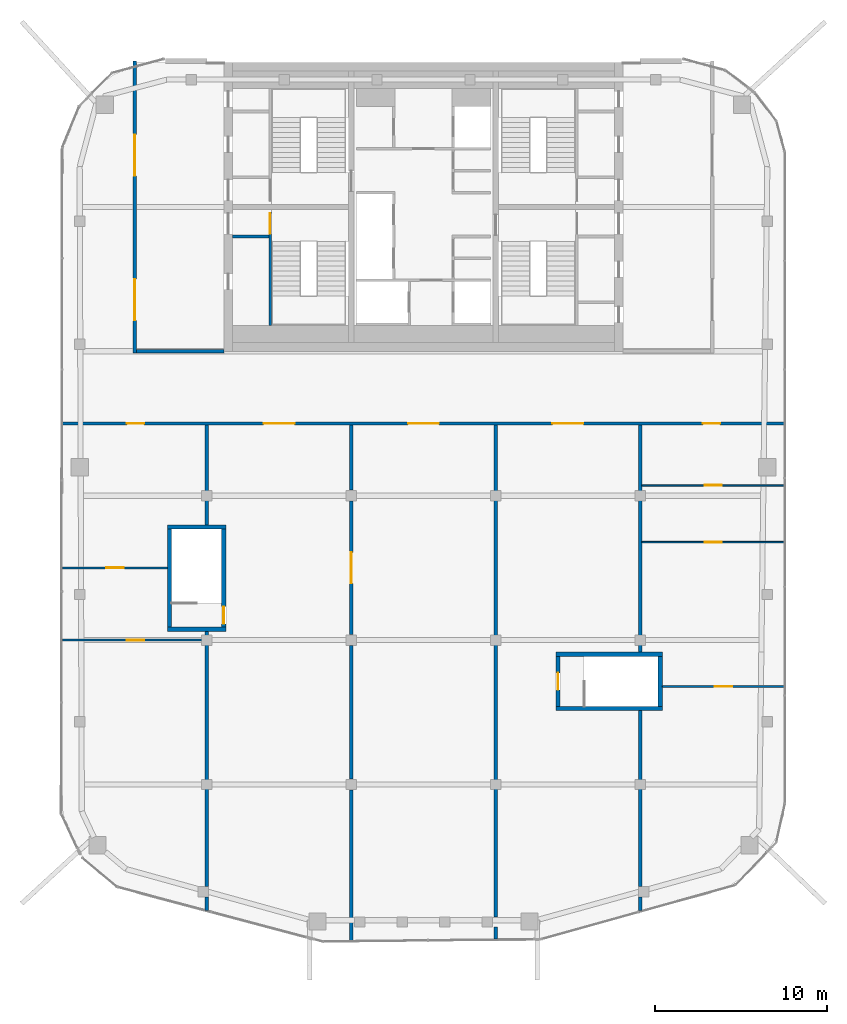
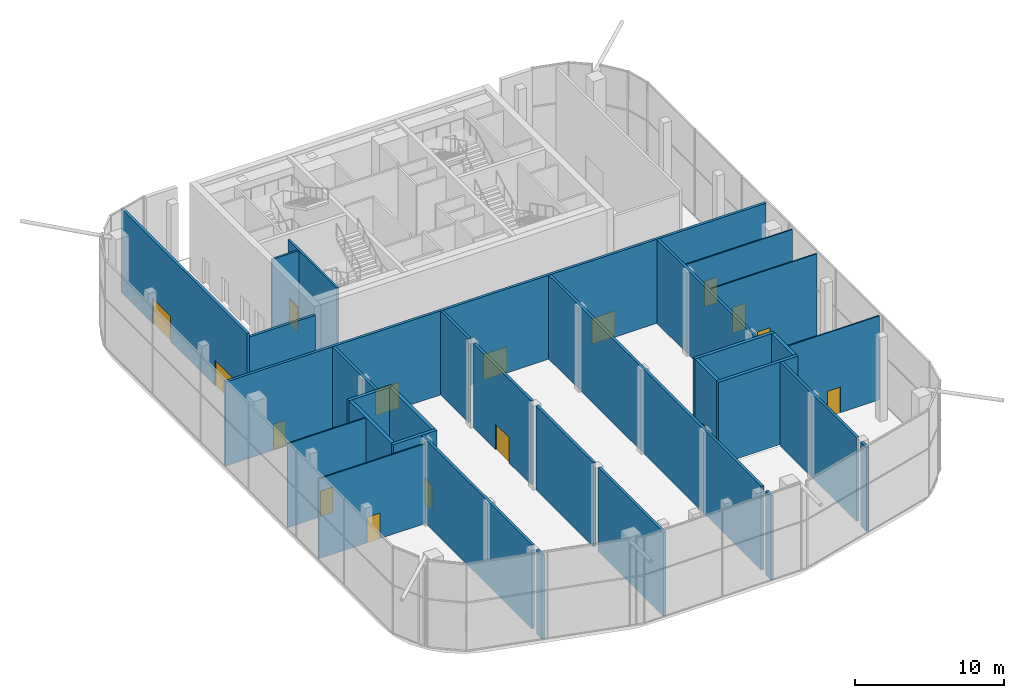
# One storey, part 18 of 23: 30 walls, 16 doors, 16 openings.
"""IFC4 building model written with IfcOpenShell, lengths in metres."""

from ifc_helpers import new_model, si_unit, direction, frame, frame_2d, origin, place, context, subcontext, project, spatial, rectangle, extrude, material, layer, layer_set, type_object, element, fill, save


model = new_model("IFC4")

# Units and contexts
model_context = context("Model", 3, precision=1e-05, world=origin(), true_north=direction((0.0, 1.0)))
body_context = subcontext(model_context, "Body", "Model", "MODEL_VIEW")
ifc_project = project(units=[si_unit("LENGTHUNIT", "METRE"), si_unit("AREAUNIT", "SQUARE_METRE"), si_unit("VOLUMEUNIT", "CUBIC_METRE"), si_unit("PLANEANGLEUNIT", "RADIAN"), si_unit("MASSUNIT", "GRAM", prefix="KILO")], contexts=[model_context])

# Site, building, storey
site_placement = place(None, origin())
site = spatial("IfcSite", under=ifc_project, at=site_placement, CompositionType="ELEMENT")
building_placement = place(site_placement, origin())
building = spatial("IfcBuilding", under=site, at=building_placement, Name="Marenta Gate Hotel Tower", CompositionType="ELEMENT")
storey_placement = place(building_placement, frame((0.0, 0.0, 288.5)))
storey = spatial("IfcBuildingStorey", under=building, at=storey_placement, Name="L66", CompositionType="ELEMENT", Elevation=288.5)

# Wall, openings, doors
ifc_material_1 = material(Name="Concrete blockwork", Category="masonry")
ifc_layer_1 = layer(ifc_material_1, 0.199951171875)
ifc_layer_set_1 = layer_set([ifc_layer_1], Name="Concrete blockwork")
wall_type_1 = type_object("IfcWallType", Name="Core boundary wall 200 REI 180", PredefinedType="PARTITIONING", material=ifc_layer_set_1)
wall_1_placement = place(storey_placement, frame((-16.800048828125, -0.10009765625, 0.0), z_axis=(0.0, 0.0, 1.0), x_axis=(0.0, 1.0, 0.0)))
wall_1 = element("IfcWall", 1, at=wall_1_placement, inside=storey, type_object=wall_type_1, Name="L66-CP-BW-W", PredefinedType="PARTITIONING", context=body_context, shape_type="SweptSolid", body=[
    extrude(rectangle(XDim=17.0, YDim=0.199951171875, at=frame_2d((8.5, 0.0))), origin(), (0.0, 0.0, 1.0), 6.89990234375),
])
opening_1_placement = place(wall_1_placement, frame((1.89990234375, 0.0, 0.0)))
opening_1 = element("IfcOpeningElement", 2, at=opening_1_placement, cuts=wall_1, Name="Opening ED-Wa-A", PredefinedType="OPENING", context=body_context, shape_type="SweptSolid", body=[
    extrude(rectangle(XDim=2.39990234375, YDim=2.10009765625, at=frame_2d((1.199951171875, 1.050048828125))), frame((0.0, 0.10009765625, 0.0), z_axis=(0.0, -1.0, 0.0), x_axis=(1.0, 0.0, 0.0)), (0.0, 0.0, 1.0), 0.199951171875),
])
opening_2_placement = place(wall_1_placement, frame((10.300048828125, 0.0, 0.0)))
opening_2 = element("IfcOpeningElement", 3, at=opening_2_placement, cuts=wall_1, Name="Opening ED-Wb-A", PredefinedType="OPENING", context=body_context, shape_type="SweptSolid", body=[
    extrude(rectangle(XDim=2.39990234375, YDim=2.10009765625, at=frame_2d((1.199951171875, 1.050048828125))), frame((0.0, 0.10009765625, 0.0), z_axis=(0.0, -1.0, 0.0), x_axis=(1.0, 0.0, 0.0)), (0.0, 0.0, 1.0), 0.199951171875),
])
ifc_material_2 = material(Name="Steel", Category="steel")
door_type_1 = type_object("IfcDoorType", Name="Core lobby entrance door 2400x2100 EI 60", OperationType="DOUBLE_DOOR_SINGLE_SWING", PredefinedType="DOOR", material=ifc_material_2)
door_1_placement = place(opening_1_placement, origin())
door_1 = element("IfcDoor", 4, at=door_1_placement, inside=storey, type_object=door_type_1, Name="ED-Wa-A", OperationType="DOUBLE_DOOR_SINGLE_SWING", OverallHeight=2.10009765625, OverallWidth=2.39990234375, PredefinedType="DOOR", context=body_context, shape_type="SweptSolid", body=[
    extrude(rectangle(XDim=2.39990234375, YDim=2.10009765625, at=frame_2d((1.199951171875, 1.050048828125))), frame((0.0, 0.02490234375, 0.0), z_axis=(0.0, -1.0, 0.0), x_axis=(1.0, 0.0, 0.0)), (0.0, 0.0, 1.0), 0.050048828125),
])
fill(opening_1, door_1)
door_2_placement = place(opening_2_placement, origin())
door_2 = element("IfcDoor", 5, at=door_2_placement, inside=storey, type_object=door_type_1, Name="ED-Wb-A", OperationType="DOUBLE_DOOR_SINGLE_SWING", OverallHeight=2.10009765625, OverallWidth=2.39990234375, PredefinedType="DOOR", context=body_context, shape_type="SweptSolid", body=[
    extrude(rectangle(XDim=2.39990234375, YDim=2.10009765625, at=frame_2d((1.199951171875, 1.050048828125))), frame((0.0, 0.02490234375, 0.0), z_axis=(0.0, -1.0, 0.0), x_axis=(1.0, 0.0, 0.0)), (0.0, 0.0, 1.0), 0.050048828125),
])
fill(opening_2, door_2)

# Walls
wall_2_placement = place(storey_placement, frame((-16.699951171875, 0.0, 0.0), z_axis=(0.0, 0.0, 1.0), x_axis=(1.0, 0.0, 0.0)))
element("IfcWall", 6, at=wall_2_placement, inside=storey, type_object=wall_type_1, Name="L66-CP-EW-WS", PredefinedType="PARTITIONING", context=body_context, shape_type="SweptSolid", body=[
    extrude(rectangle(XDim=5.099853515625, YDim=0.199951171875, at=frame_2d((2.5498046875, 0.0))), origin(), (0.0, 0.0, 1.0), 6.56005859375),
])
ifc_material_3 = material(Name="Concrete blockwork", Category="masonry")
ifc_layer_2 = layer(ifc_material_3, 0.14990234375)
ifc_layer_set_2 = layer_set([ifc_layer_2], Name="Concrete blockwork")
wall_type_2 = type_object("IfcWallType", Name="Core room partition 150 REI 180", PredefinedType="PARTITIONING", material=ifc_layer_set_2)
wall_3_placement = place(storey_placement, frame((-11.10009765625, 6.675048828125, 0.0), z_axis=(0.0, 0.0, 1.0), x_axis=(1.0, 0.0, 0.0)))
element("IfcWall", 7, at=wall_3_placement, inside=storey, type_object=wall_type_2, Name="L66-CP-SW-WS-2", PredefinedType="PARTITIONING", context=body_context, shape_type="SweptSolid", body=[
    extrude(rectangle(XDim=2.10009765625, YDim=0.14990234375, at=frame_2d((1.050048828125, 0.0))), origin(), (0.0, 0.0, 1.0), 6.89990234375),
])

# Wall, opening, door
ifc_material_4 = material(Name="Concrete C40", Category="concrete")
ifc_layer_3 = layer(ifc_material_4, 0.14990234375)
ifc_layer_set_3 = layer_set([ifc_layer_3], Name="Concrete C40")
wall_type_3 = type_object("IfcWallType", Name="Core stair enclosure wall 150 REI 180", PredefinedType="SHEAR", material=ifc_layer_set_3)
wall_4_placement = place(storey_placement, frame((-8.925048828125, 1.5, 0.0), z_axis=(0.0, 0.0, 1.0), x_axis=(0.0, 1.0, 0.0)))
wall_4 = element("IfcWall", 8, at=wall_4_placement, inside=storey, type_object=wall_type_3, Name="L66-SHF-SW-WS-3", PredefinedType="SHEAR", context=body_context, shape_type="SweptSolid", body=[
    extrude(rectangle(XDim=6.60009765625, YDim=0.14990234375, at=frame_2d((3.300048828125, 0.0))), origin(), (0.0, 0.0, 1.0), 6.89990234375),
])
opening_3_placement = place(wall_4_placement, frame((5.324951171875, 0.0, 0.0)))
opening_3 = element("IfcOpeningElement", 9, at=opening_3_placement, cuts=wall_4, Name="Opening SD-WS", PredefinedType="OPENING", context=body_context, shape_type="SweptSolid", body=[
    extrude(rectangle(XDim=1.199951171875, YDim=2.10009765625, at=frame_2d((0.60009765625, 1.050048828125))), frame((0.0, 0.074951171875, 0.0), z_axis=(0.0, -1.0, 0.0), x_axis=(1.0, 0.0, 0.0)), (0.0, 0.0, 1.0), 0.14990234375),
])
ifc_material_5 = material(Name="Steel", Category="steel")
door_type_2 = type_object("IfcDoorType", Name="Core stair door 1200x2100 FD60", OperationType="SINGLE_SWING_LEFT", PredefinedType="DOOR", material=ifc_material_5)
door_3_placement = place(opening_3_placement, origin())
door_3 = element("IfcDoor", 10, at=door_3_placement, inside=storey, type_object=door_type_2, Name="SD-WS", OperationType="SINGLE_SWING_LEFT", OverallHeight=2.10009765625, OverallWidth=1.199951171875, PredefinedType="DOOR", context=body_context, shape_type="SweptSolid", body=[
    extrude(rectangle(XDim=1.199951171875, YDim=2.10009765625, at=frame_2d((0.60009765625, 1.050048828125))), frame((0.0, 0.02490234375, 0.0), z_axis=(0.0, -1.0, 0.0), x_axis=(1.0, 0.0, 0.0)), (0.0, 0.0, 1.0), 0.050048828125),
])
fill(opening_3, door_3)

# Walls
ifc_material_6 = material(Name="Concrete C40", Category="concrete")
ifc_layer_4 = layer(ifc_material_6, 0.25)
ifc_layer_set_4 = layer_set([ifc_layer_4], Name="Concrete C40")
wall_type_4 = type_object("IfcWallType", Name="Remote stair enclosure wall 250 REI 180", PredefinedType="SHEAR", material=ifc_layer_set_4)
for number, where, z_axis, x_axis, name in (
    (11, (7.699951171875, -20.77490234375, 0.10009765625), (0.0, 0.0, 1.0), (1.0, 0.0, 0.0), "L66-RS-Z4-1-W1"),
    (12, (7.699951171875, -17.625, 0.10009765625), (0.0, 0.0, 1.0), (1.0, 0.0, 0.0), "L66-RS-Z4-1-W2"),
):
    element("IfcWall", number, at=place(storey_placement, frame(where, z_axis=z_axis, x_axis=x_axis)), inside=storey, type_object=wall_type_4, Name=name, PredefinedType="SHEAR", context=body_context, shape_type="SweptSolid", body=[
        extrude(rectangle(XDim=6.199951171875, YDim=0.25, at=frame_2d((3.10009765625, 0.0))), origin(), (0.0, 0.0, 1.0), 6.7998046875),
    ])

# Wall, opening, door
wall_5_placement = place(storey_placement, frame((7.824951171875, -20.64990234375, 0.10009765625), z_axis=(0.0, 0.0, 1.0), x_axis=(0.0, 1.0, 0.0)))
wall_5 = element("IfcWall", 13, at=wall_5_placement, inside=storey, type_object=wall_type_4, Name="L66-RS-Z4-1-W3", PredefinedType="SHEAR", context=body_context, shape_type="SweptSolid", body=[
    extrude(rectangle(XDim=2.89990234375, YDim=0.25, at=frame_2d((1.449951171875, 0.0))), origin(), (0.0, 0.0, 1.0), 6.7998046875),
])
opening_4_placement = place(wall_5_placement, frame((0.949951171875, 0.0, 0.0)))
opening_4 = element("IfcOpeningElement", 14, at=opening_4_placement, cuts=wall_5, Name="Opening VD", PredefinedType="OPENING", context=body_context, shape_type="SweptSolid", body=[
    extrude(rectangle(XDim=1.0, YDim=2.10009765625, at=frame_2d((0.5, 1.050048828125))), frame((0.0, 0.125, 0.0), z_axis=(0.0, -1.0, 0.0), x_axis=(1.0, 0.0, 0.0)), (0.0, 0.0, 1.0), 0.25),
])
ifc_material_7 = material(Name="Steel", Category="steel")
door_type_3 = type_object("IfcDoorType", Name="Stair vestibule door 1000x2100 FD60", OperationType="SINGLE_SWING_LEFT", PredefinedType="DOOR", material=ifc_material_7)
door_4_placement = place(opening_4_placement, origin())
door_4 = element("IfcDoor", 15, at=door_4_placement, inside=storey, type_object=door_type_3, Name="VD", OperationType="SINGLE_SWING_LEFT", OverallHeight=2.10009765625, OverallWidth=1.0, PredefinedType="DOOR", context=body_context, shape_type="SweptSolid", body=[
    extrude(rectangle(XDim=1.0, YDim=2.10009765625, at=frame_2d((0.5, 1.050048828125))), frame((0.0, 0.02490234375, 0.0), z_axis=(0.0, -1.0, 0.0), x_axis=(1.0, 0.0, 0.0)), (0.0, 0.0, 1.0), 0.050048828125),
])
fill(opening_4, door_4)

# Walls
wall_6_placement = place(storey_placement, frame((13.77490234375, -20.64990234375, 0.10009765625), z_axis=(0.0, 0.0, 1.0), x_axis=(0.0, 1.0, 0.0)))
element("IfcWall", 16, at=wall_6_placement, inside=storey, type_object=wall_type_4, Name="L66-RS-Z4-1-W4", PredefinedType="SHEAR", context=body_context, shape_type="SweptSolid", body=[
    extrude(rectangle(XDim=2.89990234375, YDim=0.25, at=frame_2d((1.449951171875, 0.0))), origin(), (0.0, 0.0, 1.0), 6.7998046875),
])
for number, where, z_axis, x_axis, name in (
    (17, (-14.89990234375, -16.175048828125, 0.10009765625), (0.0, 0.0, 1.0), (1.0, 0.0, 0.0), "L66-RS-Z4-2-W1"),
    (18, (-14.89990234375, -10.22509765625, 0.10009765625), (0.0, 0.0, 1.0), (1.0, 0.0, 0.0), "L66-RS-Z4-2-W2"),
):
    element("IfcWall", number, at=place(storey_placement, frame(where, z_axis=z_axis, x_axis=x_axis)), inside=storey, type_object=wall_type_4, Name=name, PredefinedType="SHEAR", context=body_context, shape_type="SweptSolid", body=[
        extrude(rectangle(XDim=3.39990234375, YDim=0.25, at=frame_2d((1.699951171875, 0.0))), origin(), (0.0, 0.0, 1.0), 6.7998046875),
    ])
wall_7_placement = place(storey_placement, frame((-14.77490234375, -16.050048828125, 0.10009765625), z_axis=(0.0, 0.0, 1.0), x_axis=(0.0, 1.0, 0.0)))
element("IfcWall", 19, at=wall_7_placement, inside=storey, type_object=wall_type_4, Name="L66-RS-Z4-2-W3", PredefinedType="SHEAR", context=body_context, shape_type="SweptSolid", body=[
    extrude(rectangle(XDim=5.699951171875, YDim=0.25, at=frame_2d((2.85009765625, 0.0))), origin(), (0.0, 0.0, 1.0), 6.7998046875),
])

# Wall, opening, door
wall_8_placement = place(storey_placement, frame((-11.625, -16.050048828125, 0.10009765625), z_axis=(0.0, 0.0, 1.0), x_axis=(0.0, 1.0, 0.0)))
wall_8 = element("IfcWall", 20, at=wall_8_placement, inside=storey, type_object=wall_type_4, Name="L66-RS-Z4-2-W4", PredefinedType="SHEAR", context=body_context, shape_type="SweptSolid", body=[
    extrude(rectangle(XDim=5.699951171875, YDim=0.25, at=frame_2d((2.85009765625, 0.0))), origin(), (0.0, 0.0, 1.0), 6.7998046875),
])
opening_5_placement = place(wall_8_placement, frame((0.199951171875, 0.0, 0.0)))
opening_5 = element("IfcOpeningElement", 21, at=opening_5_placement, cuts=wall_8, Name="Opening VD", PredefinedType="OPENING", context=body_context, shape_type="SweptSolid", body=[
    extrude(rectangle(XDim=1.0, YDim=2.10009765625, at=frame_2d((0.5, 1.050048828125))), frame((0.0, 0.125, 0.0), z_axis=(0.0, -1.0, 0.0), x_axis=(1.0, 0.0, 0.0)), (0.0, 0.0, 1.0), 0.25),
])
door_5_placement = place(opening_5_placement, origin())
door_5 = element("IfcDoor", 22, at=door_5_placement, inside=storey, type_object=door_type_3, Name="VD", OperationType="SINGLE_SWING_LEFT", OverallHeight=2.10009765625, OverallWidth=1.0, PredefinedType="DOOR", context=body_context, shape_type="SweptSolid", body=[
    extrude(rectangle(XDim=1.0, YDim=2.10009765625, at=frame_2d((0.5, 1.050048828125))), frame((0.0, 0.02490234375, 0.0), z_axis=(0.0, -1.0, 0.0), x_axis=(1.0, 0.0, 0.0)), (0.0, 0.0, 1.0), 0.050048828125),
])
fill(opening_5, door_5)

# Wall, openings, doors
ifc_material_8 = material(Name="Gypsum board on steel stud", Category="steel")
ifc_layer_5 = layer(ifc_material_8, 0.199951171875)
ifc_layer_set_5 = layer_set([ifc_layer_5], Name="Gypsum board on steel stud")
wall_type_5 = type_object("IfcWallType", Name="Room corridor wall 200 EI 60", PredefinedType="PARTITIONING", material=ifc_layer_set_5)
wall_9_placement = place(storey_placement, frame((-21.0, -4.199951171875, 0.0), z_axis=(0.0, 0.0, 1.0), x_axis=(1.0, 0.0, 0.0)))
wall_9 = element("IfcWall", 23, at=wall_9_placement, inside=storey, type_object=wall_type_5, Name="L66-PTN-W011", PredefinedType="PARTITIONING", context=body_context, shape_type="SweptSolid", body=[
    extrude(rectangle(XDim=42.0, YDim=0.199951171875, at=frame_2d((21.0, 0.0))), origin(), (0.0, 0.0, 1.0), 6.89990234375),
])
opening_6_placement = place(wall_9_placement, frame((3.75, 0.0, 0.0)))
opening_6 = element("IfcOpeningElement", 24, at=opening_6_placement, cuts=wall_9, Name="Opening S13-01", PredefinedType="OPENING", context=body_context, shape_type="SweptSolid", body=[
    extrude(rectangle(XDim=1.0, YDim=2.10009765625, at=frame_2d((0.5, 1.050048828125))), frame((0.0, 0.10009765625, 0.0), z_axis=(0.0, -1.0, 0.0), x_axis=(1.0, 0.0, 0.0)), (0.0, 0.0, 1.0), 0.199951171875),
])
opening_7_placement = place(wall_9_placement, frame((20.10009765625, 0.0, 0.0)))
opening_7 = element("IfcOpeningElement", 25, at=opening_7_placement, cuts=wall_9, Name="Opening S13-04", PredefinedType="OPENING", context=body_context, shape_type="SweptSolid", body=[
    extrude(rectangle(XDim=1.800048828125, YDim=2.10009765625, at=frame_2d((0.89990234375, 1.050048828125))), frame((0.0, 0.10009765625, 0.0), z_axis=(0.0, -1.0, 0.0), x_axis=(1.0, 0.0, 0.0)), (0.0, 0.0, 1.0), 0.199951171875),
])
opening_8_placement = place(wall_9_placement, frame((11.699951171875, 0.0, 0.0)))
opening_8 = element("IfcOpeningElement", 26, at=opening_8_placement, cuts=wall_9, Name="Opening S13-05", PredefinedType="OPENING", context=body_context, shape_type="SweptSolid", body=[
    extrude(rectangle(XDim=1.800048828125, YDim=2.10009765625, at=frame_2d((0.89990234375, 1.050048828125))), frame((0.0, 0.10009765625, 0.0), z_axis=(0.0, -1.0, 0.0), x_axis=(1.0, 0.0, 0.0)), (0.0, 0.0, 1.0), 0.199951171875),
])
opening_9_placement = place(wall_9_placement, frame((28.5, 0.0, 0.0)))
opening_9 = element("IfcOpeningElement", 27, at=opening_9_placement, cuts=wall_9, Name="Opening S13-06", PredefinedType="OPENING", context=body_context, shape_type="SweptSolid", body=[
    extrude(rectangle(XDim=1.800048828125, YDim=2.10009765625, at=frame_2d((0.89990234375, 1.050048828125))), frame((0.0, 0.10009765625, 0.0), z_axis=(0.0, -1.0, 0.0), x_axis=(1.0, 0.0, 0.0)), (0.0, 0.0, 1.0), 0.199951171875),
])
opening_10_placement = place(wall_9_placement, frame((37.25, 0.0, 0.0)))
opening_10 = element("IfcOpeningElement", 28, at=opening_10_placement, cuts=wall_9, Name="Opening S13-07", PredefinedType="OPENING", context=body_context, shape_type="SweptSolid", body=[
    extrude(rectangle(XDim=1.0, YDim=2.10009765625, at=frame_2d((0.5, 1.050048828125))), frame((0.0, 0.10009765625, 0.0), z_axis=(0.0, -1.0, 0.0), x_axis=(1.0, 0.0, 0.0)), (0.0, 0.0, 1.0), 0.199951171875),
])
ifc_material_9 = material(Name="Timber door leaf", Category="wood")
door_type_4 = type_object("IfcDoorType", Name="Room amenity door 1000x2100 EI 30", OperationType="NOTDEFINED", PredefinedType="DOOR", material=ifc_material_9)
door_6_placement = place(opening_6_placement, origin())
door_6 = element("IfcDoor", 29, at=door_6_placement, inside=storey, type_object=door_type_4, Name="L66-PD-D001", OperationType="SINGLE_SWING_LEFT", OverallHeight=2.10009765625, OverallWidth=1.0, PredefinedType="DOOR", context=body_context, shape_type="SweptSolid", body=[
    extrude(rectangle(XDim=1.0, YDim=2.10009765625, at=frame_2d((0.5, 1.050048828125))), frame((0.0, 0.02490234375, 0.0), z_axis=(0.0, -1.0, 0.0), x_axis=(1.0, 0.0, 0.0)), (0.0, 0.0, 1.0), 0.050048828125),
])
fill(opening_6, door_6)
ifc_material_10 = material(Name="Timber door leaf", Category="wood")
door_type_5 = type_object("IfcDoorType", Name="Room amenity door 1800x2100 EI 30", OperationType="DOUBLE_DOOR_SINGLE_SWING", PredefinedType="DOOR", material=ifc_material_10)
door_7_placement = place(opening_7_placement, origin())
door_7 = element("IfcDoor", 30, at=door_7_placement, inside=storey, type_object=door_type_5, Name="L66-PD-D004", OperationType="DOUBLE_DOOR_SINGLE_SWING", OverallHeight=2.10009765625, OverallWidth=1.800048828125, PredefinedType="DOOR", context=body_context, shape_type="SweptSolid", body=[
    extrude(rectangle(XDim=1.800048828125, YDim=2.10009765625, at=frame_2d((0.89990234375, 1.050048828125))), frame((0.0, 0.02490234375, 0.0), z_axis=(0.0, -1.0, 0.0), x_axis=(1.0, 0.0, 0.0)), (0.0, 0.0, 1.0), 0.050048828125),
])
fill(opening_7, door_7)
door_8_placement = place(opening_8_placement, origin())
door_8 = element("IfcDoor", 31, at=door_8_placement, inside=storey, type_object=door_type_5, Name="L66-PD-D005", OperationType="DOUBLE_DOOR_SINGLE_SWING", OverallHeight=2.10009765625, OverallWidth=1.800048828125, PredefinedType="DOOR", context=body_context, shape_type="SweptSolid", body=[
    extrude(rectangle(XDim=1.800048828125, YDim=2.10009765625, at=frame_2d((0.89990234375, 1.050048828125))), frame((0.0, 0.02490234375, 0.0), z_axis=(0.0, -1.0, 0.0), x_axis=(1.0, 0.0, 0.0)), (0.0, 0.0, 1.0), 0.050048828125),
])
fill(opening_8, door_8)
door_9_placement = place(opening_9_placement, origin())
door_9 = element("IfcDoor", 32, at=door_9_placement, inside=storey, type_object=door_type_5, Name="L66-PD-D006", OperationType="DOUBLE_DOOR_SINGLE_SWING", OverallHeight=2.10009765625, OverallWidth=1.800048828125, PredefinedType="DOOR", context=body_context, shape_type="SweptSolid", body=[
    extrude(rectangle(XDim=1.800048828125, YDim=2.10009765625, at=frame_2d((0.89990234375, 1.050048828125))), frame((0.0, 0.02490234375, 0.0), z_axis=(0.0, -1.0, 0.0), x_axis=(1.0, 0.0, 0.0)), (0.0, 0.0, 1.0), 0.050048828125),
])
fill(opening_9, door_9)
ifc_material_11 = material(Name="Timber door leaf", Category="wood")
door_type_6 = type_object("IfcDoorType", Name="Toilet room door 1000x2100 EI 30", OperationType="NOTDEFINED", PredefinedType="DOOR", material=ifc_material_11)
door_10_placement = place(opening_10_placement, origin())
door_10 = element("IfcDoor", 33, at=door_10_placement, inside=storey, type_object=door_type_6, Name="L66-PD-D007", OperationType="SINGLE_SWING_LEFT", OverallHeight=2.10009765625, OverallWidth=1.0, PredefinedType="DOOR", context=body_context, shape_type="SweptSolid", body=[
    extrude(rectangle(XDim=1.0, YDim=2.10009765625, at=frame_2d((0.5, 1.050048828125))), frame((0.0, 0.02490234375, 0.0), z_axis=(0.0, -1.0, 0.0), x_axis=(1.0, 0.0, 0.0)), (0.0, 0.0, 1.0), 0.050048828125),
])
fill(opening_10, door_10)

# Wall, opening, door
ifc_material_12 = material(Name="Gypsum board on steel stud", Category="steel")
ifc_layer_6 = layer(ifc_material_12, 0.10009765625)
ifc_layer_set_6 = layer_set([ifc_layer_6], Name="Gypsum board on steel stud")
wall_type_6 = type_object("IfcWallType", Name="Room partition 100", PredefinedType="PARTITIONING", material=ifc_layer_set_6)
wall_10_placement = place(storey_placement, frame((13.89990234375, -19.5, 0.0), z_axis=(0.0, 0.0, 1.0), x_axis=(1.0, 0.0, 0.0)))
wall_10 = element("IfcWall", 34, at=wall_10_placement, inside=storey, type_object=wall_type_6, Name="L66-PTN-W001", PredefinedType="PARTITIONING", context=body_context, shape_type="SweptSolid", body=[
    extrude(rectangle(XDim=7.10009765625, YDim=0.10009765625, at=frame_2d((3.550048828125, 0.0))), origin(), (0.0, 0.0, 1.0), 6.89990234375),
])
opening_11_placement = place(wall_10_placement, frame((3.050048828125, 0.0, 0.0)))
opening_11 = element("IfcOpeningElement", 35, at=opening_11_placement, cuts=wall_10, Name="Opening S13-10", PredefinedType="OPENING", context=body_context, shape_type="SweptSolid", body=[
    extrude(rectangle(XDim=1.0, YDim=2.10009765625, at=frame_2d((0.5, 1.050048828125))), frame((0.0, 0.050048828125, 0.0), z_axis=(0.0, -1.0, 0.0), x_axis=(1.0, 0.0, 0.0)), (0.0, 0.0, 1.0), 0.10009765625),
])
ifc_material_13 = material(Name="Hollow steel door set", Category="steel")
door_type_7 = type_object("IfcDoorType", Name="Room service door 1000x2100", OperationType="NOTDEFINED", PredefinedType="DOOR", material=ifc_material_13)
door_11_placement = place(opening_11_placement, origin())
door_11 = element("IfcDoor", 36, at=door_11_placement, inside=storey, type_object=door_type_7, Name="L66-PD-D010", OperationType="SINGLE_SWING_LEFT", OverallHeight=2.10009765625, OverallWidth=1.0, PredefinedType="DOOR", context=body_context, shape_type="SweptSolid", body=[
    extrude(rectangle(XDim=1.0, YDim=2.10009765625, at=frame_2d((0.5, 1.050048828125))), frame((0.0, 0.02490234375, 0.0), z_axis=(0.0, -1.0, 0.0), x_axis=(1.0, 0.0, 0.0)), (0.0, 0.0, 1.0), 0.050048828125),
])
fill(opening_11, door_11)

wall_11_placement = place(storey_placement, frame((-21.0, -16.800048828125, 0.0), z_axis=(0.0, 0.0, 1.0), x_axis=(1.0, 0.0, 0.0)))
wall_11 = element("IfcWall", 37, at=wall_11_placement, inside=storey, type_object=wall_type_6, Name="L66-PTN-W002", PredefinedType="PARTITIONING", context=body_context, shape_type="SweptSolid", body=[
    extrude(rectangle(XDim=8.5, YDim=0.10009765625, at=frame_2d((4.25, 0.0))), origin(), (0.0, 0.0, 1.0), 6.56005859375),
])
opening_12_placement = place(wall_11_placement, frame((3.75, 0.0, 0.0)))
opening_12 = element("IfcOpeningElement", 38, at=opening_12_placement, cuts=wall_11, Name="Opening S13-03", PredefinedType="OPENING", context=body_context, shape_type="SweptSolid", body=[
    extrude(rectangle(XDim=1.0, YDim=2.10009765625, at=frame_2d((0.5, 1.050048828125))), frame((0.0, 0.050048828125, 0.0), z_axis=(0.0, -1.0, 0.0), x_axis=(1.0, 0.0, 0.0)), (0.0, 0.0, 1.0), 0.10009765625),
])
ifc_material_14 = material(Name="Timber door leaf", Category="wood")
door_type_8 = type_object("IfcDoorType", Name="Room inner door 1000x2100", OperationType="NOTDEFINED", PredefinedType="DOOR", material=ifc_material_14)
door_12_placement = place(opening_12_placement, origin())
door_12 = element("IfcDoor", 39, at=door_12_placement, inside=storey, type_object=door_type_8, Name="L66-PD-D003", OperationType="SINGLE_SWING_LEFT", OverallHeight=2.10009765625, OverallWidth=1.0, PredefinedType="DOOR", context=body_context, shape_type="SweptSolid", body=[
    extrude(rectangle(XDim=1.0, YDim=2.10009765625, at=frame_2d((0.5, 1.050048828125))), frame((0.0, 0.02490234375, 0.0), z_axis=(0.0, -1.0, 0.0), x_axis=(1.0, 0.0, 0.0)), (0.0, 0.0, 1.0), 0.050048828125),
])
fill(opening_12, door_12)

wall_12_placement = place(storey_placement, frame((-21.0, -12.60009765625, 0.0), z_axis=(0.0, 0.0, 1.0), x_axis=(1.0, 0.0, 0.0)))
wall_12 = element("IfcWall", 40, at=wall_12_placement, inside=storey, type_object=wall_type_6, Name="L66-PTN-W006", PredefinedType="PARTITIONING", context=body_context, shape_type="SweptSolid", body=[
    extrude(rectangle(XDim=6.10009765625, YDim=0.10009765625, at=frame_2d((3.050048828125, 0.0))), origin(), (0.0, 0.0, 1.0), 6.89990234375),
])
opening_13_placement = place(wall_12_placement, frame((2.550048828125, 0.0, 0.0)))
opening_13 = element("IfcOpeningElement", 41, at=opening_13_placement, cuts=wall_12, Name="Opening S13-02", PredefinedType="OPENING", context=body_context, shape_type="SweptSolid", body=[
    extrude(rectangle(XDim=1.0, YDim=2.10009765625, at=frame_2d((0.5, 1.050048828125))), frame((0.0, 0.050048828125, 0.0), z_axis=(0.0, -1.0, 0.0), x_axis=(1.0, 0.0, 0.0)), (0.0, 0.0, 1.0), 0.10009765625),
])
door_13_placement = place(opening_13_placement, origin())
door_13 = element("IfcDoor", 42, at=door_13_placement, inside=storey, type_object=door_type_7, Name="L66-PD-D002", OperationType="SINGLE_SWING_RIGHT", OverallHeight=2.10009765625, OverallWidth=1.0, PredefinedType="DOOR", context=body_context, shape_type="SweptSolid", body=[
    extrude(rectangle(XDim=1.0, YDim=2.10009765625, at=frame_2d((0.5, 1.050048828125))), frame((0.0, 0.02490234375, 0.0), z_axis=(0.0, -1.0, 0.0), x_axis=(1.0, 0.0, 0.0)), (0.0, 0.0, 1.0), 0.050048828125),
])
fill(opening_13, door_13)

wall_13_placement = place(storey_placement, frame((12.699951171875, -11.10009765625, 0.0), z_axis=(0.0, 0.0, 1.0), x_axis=(1.0, 0.0, 0.0)))
wall_13 = element("IfcWall", 43, at=wall_13_placement, inside=storey, type_object=wall_type_6, Name="L66-PTN-W007", PredefinedType="PARTITIONING", context=body_context, shape_type="SweptSolid", body=[
    extrude(rectangle(XDim=8.300048828125, YDim=0.10009765625, at=frame_2d((4.14990234375, 0.0))), origin(), (0.0, 0.0, 1.0), 6.89990234375),
])
opening_14_placement = place(wall_13_placement, frame((3.64990234375, 0.0, 0.0)))
opening_14 = element("IfcOpeningElement", 44, at=opening_14_placement, cuts=wall_13, Name="Opening S13-09", PredefinedType="OPENING", context=body_context, shape_type="SweptSolid", body=[
    extrude(rectangle(XDim=1.0, YDim=2.10009765625, at=frame_2d((0.5, 1.050048828125))), frame((0.0, 0.050048828125, 0.0), z_axis=(0.0, -1.0, 0.0), x_axis=(1.0, 0.0, 0.0)), (0.0, 0.0, 1.0), 0.10009765625),
])
door_14_placement = place(opening_14_placement, origin())
door_14 = element("IfcDoor", 45, at=door_14_placement, inside=storey, type_object=door_type_8, Name="L66-PD-D009", OperationType="SINGLE_SWING_LEFT", OverallHeight=2.10009765625, OverallWidth=1.0, PredefinedType="DOOR", context=body_context, shape_type="SweptSolid", body=[
    extrude(rectangle(XDim=1.0, YDim=2.10009765625, at=frame_2d((0.5, 1.050048828125))), frame((0.0, 0.02490234375, 0.0), z_axis=(0.0, -1.0, 0.0), x_axis=(1.0, 0.0, 0.0)), (0.0, 0.0, 1.0), 0.050048828125),
])
fill(opening_14, door_14)

wall_14_placement = place(storey_placement, frame((12.699951171875, -7.800048828125, 0.0), z_axis=(0.0, 0.0, 1.0), x_axis=(1.0, 0.0, 0.0)))
wall_14 = element("IfcWall", 46, at=wall_14_placement, inside=storey, type_object=wall_type_6, Name="L66-PTN-W008", PredefinedType="PARTITIONING", context=body_context, shape_type="SweptSolid", body=[
    extrude(rectangle(XDim=8.300048828125, YDim=0.10009765625, at=frame_2d((4.14990234375, 0.0))), origin(), (0.0, 0.0, 1.0), 6.89990234375),
])
opening_15_placement = place(wall_14_placement, frame((3.64990234375, 0.0, 0.0)))
opening_15 = element("IfcOpeningElement", 47, at=opening_15_placement, cuts=wall_14, Name="Opening S13-08", PredefinedType="OPENING", context=body_context, shape_type="SweptSolid", body=[
    extrude(rectangle(XDim=1.0, YDim=2.10009765625, at=frame_2d((0.5, 1.050048828125))), frame((0.0, 0.050048828125, 0.0), z_axis=(0.0, -1.0, 0.0), x_axis=(1.0, 0.0, 0.0)), (0.0, 0.0, 1.0), 0.10009765625),
])
door_15_placement = place(opening_15_placement, origin())
door_15 = element("IfcDoor", 48, at=door_15_placement, inside=storey, type_object=door_type_8, Name="L66-PD-D008", OperationType="SINGLE_SWING_LEFT", OverallHeight=2.10009765625, OverallWidth=1.0, PredefinedType="DOOR", context=body_context, shape_type="SweptSolid", body=[
    extrude(rectangle(XDim=1.0, YDim=2.10009765625, at=frame_2d((0.5, 1.050048828125))), frame((0.0, 0.02490234375, 0.0), z_axis=(0.0, -1.0, 0.0), x_axis=(1.0, 0.0, 0.0)), (0.0, 0.0, 1.0), 0.050048828125),
])
fill(opening_15, door_15)

# Walls
ifc_material_15 = material(Name="Concrete blockwork", Category="masonry")
ifc_layer_7 = layer(ifc_material_15, 0.199951171875)
ifc_layer_set_7 = layer_set([ifc_layer_7], Name="Concrete blockwork")
wall_type_7 = type_object("IfcWallType", Name="Room party wall 200 EI 120", PredefinedType="PARTITIONING", material=ifc_layer_set_7)
wall_15_placement = place(storey_placement, frame((12.60009765625, -32.529052734375, 0.0), z_axis=(0.0, 0.0, 1.0), x_axis=(0.0, 1.0, 0.0)))
element("IfcWall", 49, at=wall_15_placement, inside=storey, type_object=wall_type_7, Name="L66-PTN-W003", PredefinedType="PARTITIONING", context=body_context, shape_type="SweptSolid", body=[
    extrude(rectangle(XDim=0.7900390625, YDim=0.199951171875, at=frame_2d((0.39501953125, 0.0))), origin(), (0.0, 0.0, 1.0), 6.89990234375),
])
wall_16_placement = place(storey_placement, frame((12.60009765625, -31.138916015625, 0.0), z_axis=(0.0, 0.0, 1.0), x_axis=(0.0, 1.0, 0.0)))
element("IfcWall", 50, at=wall_16_placement, inside=storey, type_object=wall_type_7, Name="L66-PTN-W004", PredefinedType="PARTITIONING", context=body_context, shape_type="SweptSolid", body=[
    extrude(rectangle(XDim=10.239013671875, YDim=0.199951171875, at=frame_2d((5.11962890625, 0.0))), origin(), (0.0, 0.0, 1.0), 6.89990234375),
])
wall_17_placement = place(storey_placement, frame((-12.60009765625, -31.138916015625, 0.0), z_axis=(0.0, 0.0, 1.0), x_axis=(0.0, 1.0, 0.0)))
element("IfcWall", 51, at=wall_17_placement, inside=storey, type_object=wall_type_7, Name="L66-PTN-W017", PredefinedType="PARTITIONING", context=body_context, shape_type="SweptSolid", body=[
    extrude(rectangle(XDim=14.8388671875, YDim=0.199951171875, at=frame_2d((7.41943359375, 0.0))), origin(), (0.0, 0.0, 1.0), 6.89990234375),
])
ifc_material_16 = material(Name="Gypsum board on steel stud", Category="steel")
ifc_layer_8 = layer(ifc_material_16, 0.199951171875)
ifc_layer_set_8 = layer_set([ifc_layer_8], Name="Gypsum board on steel stud")
wall_type_8 = type_object("IfcWallType", Name="Room party wall 200 EI 60", PredefinedType="PARTITIONING", material=ifc_layer_set_8)
wall_18_placement = place(storey_placement, frame((12.60009765625, -17.5, 0.0), z_axis=(0.0, 0.0, 1.0), x_axis=(0.0, 1.0, 0.0)))
element("IfcWall", 52, at=wall_18_placement, inside=storey, type_object=wall_type_8, Name="L66-PTN-W005", PredefinedType="PARTITIONING", context=body_context, shape_type="SweptSolid", body=[
    extrude(rectangle(XDim=13.199951171875, YDim=0.199951171875, at=frame_2d((6.60009765625, 0.0))), origin(), (0.0, 0.0, 1.0), 6.89990234375),
])
wall_19_placement = place(storey_placement, frame((4.199951171875, -34.199951171875, 0.0), z_axis=(0.0, 0.0, 1.0), x_axis=(0.0, 1.0, 0.0)))
element("IfcWall", 53, at=wall_19_placement, inside=storey, type_object=wall_type_8, Name="L66-PTN-W009", PredefinedType="PARTITIONING", context=body_context, shape_type="SweptSolid", body=[
    extrude(rectangle(XDim=0.699951171875, YDim=0.199951171875, at=frame_2d((0.35009765625, 0.0))), origin(), (0.0, 0.0, 1.0), 6.89990234375),
])
wall_20_placement = place(storey_placement, frame((4.199951171875, -32.89990234375, 0.0), z_axis=(0.0, 0.0, 1.0), x_axis=(0.0, 1.0, 0.0)))
element("IfcWall", 54, at=wall_20_placement, inside=storey, type_object=wall_type_8, Name="L66-PTN-W010", PredefinedType="PARTITIONING", context=body_context, shape_type="SweptSolid", body=[
    extrude(rectangle(XDim=28.599853515625, YDim=0.199951171875, at=frame_2d((14.2998046875, 0.0))), origin(), (0.0, 0.0, 1.0), 6.89990234375),
])
wall_21_placement = place(storey_placement, frame((-4.199951171875, -34.2900390625, 0.0), z_axis=(0.0, 0.0, 1.0), x_axis=(0.0, 1.0, 0.0)))
element("IfcWall", 55, at=wall_21_placement, inside=storey, type_object=wall_type_8, Name="L66-PTN-W012", PredefinedType="PARTITIONING", context=body_context, shape_type="SweptSolid", body=[
    extrude(rectangle(XDim=8.77001953125, YDim=0.199951171875, at=frame_2d((4.385009765625, 0.0))), origin(), (0.0, 0.0, 1.0), 6.89990234375),
])
wall_22_placement = place(storey_placement, frame((-4.199951171875, -24.8798828125, 0.0), z_axis=(0.0, 0.0, 1.0), x_axis=(0.0, 1.0, 0.0)))
element("IfcWall", 56, at=wall_22_placement, inside=storey, type_object=wall_type_8, Name="L66-PTN-W013", PredefinedType="PARTITIONING", context=body_context, shape_type="SweptSolid", body=[
    extrude(rectangle(XDim=7.759765625, YDim=0.199951171875, at=frame_2d((3.8798828125, 0.0))), origin(), (0.0, 0.0, 1.0), 6.89990234375),
])

# Wall, opening, door
wall_23_placement = place(storey_placement, frame((-4.199951171875, -16.47998046875, 0.0), z_axis=(0.0, 0.0, 1.0), x_axis=(0.0, 1.0, 0.0)))
wall_23 = element("IfcWall", 57, at=wall_23_placement, inside=storey, type_object=wall_type_8, Name="L66-PTN-W014", PredefinedType="PARTITIONING", context=body_context, shape_type="SweptSolid", body=[
    extrude(rectangle(XDim=7.760009765625, YDim=0.199951171875, at=frame_2d((3.8798828125, 0.0))), origin(), (0.0, 0.0, 1.0), 6.89990234375),
])
opening_16_placement = place(wall_23_placement, frame((2.97998046875, 0.0, 0.0)))
opening_16 = element("IfcOpeningElement", 58, at=opening_16_placement, cuts=wall_23, Name="Opening S13-11", PredefinedType="OPENING", context=body_context, shape_type="SweptSolid", body=[
    extrude(rectangle(XDim=1.800048828125, YDim=2.10009765625, at=frame_2d((0.89990234375, 1.050048828125))), frame((0.0, 0.10009765625, 0.0), z_axis=(0.0, -1.0, 0.0), x_axis=(1.0, 0.0, 0.0)), (0.0, 0.0, 1.0), 0.199951171875),
])
door_16_placement = place(opening_16_placement, origin())
door_16 = element("IfcDoor", 59, at=door_16_placement, inside=storey, type_object=door_type_5, Name="L66-PD-D011", OperationType="DOUBLE_DOOR_SINGLE_SWING", OverallHeight=2.10009765625, OverallWidth=1.800048828125, PredefinedType="DOOR", context=body_context, shape_type="SweptSolid", body=[
    extrude(rectangle(XDim=1.800048828125, YDim=2.10009765625, at=frame_2d((0.89990234375, 1.050048828125))), frame((0.0, 0.02490234375, 0.0), z_axis=(0.0, -1.0, 0.0), x_axis=(1.0, 0.0, 0.0)), (0.0, 0.0, 1.0), 0.050048828125),
])
fill(opening_16, door_16)

# Walls
wall_24_placement = place(storey_placement, frame((-4.199951171875, -8.080078125, 0.0), z_axis=(0.0, 0.0, 1.0), x_axis=(0.0, 1.0, 0.0)))
element("IfcWall", 60, at=wall_24_placement, inside=storey, type_object=wall_type_8, Name="L66-PTN-W015", PredefinedType="PARTITIONING", context=body_context, shape_type="SweptSolid", body=[
    extrude(rectangle(XDim=3.780029296875, YDim=0.199951171875, at=frame_2d((1.89013671875, 0.0))), origin(), (0.0, 0.0, 1.0), 6.89990234375),
])
wall_25_placement = place(storey_placement, frame((-12.60009765625, -32.529052734375, 0.0), z_axis=(0.0, 0.0, 1.0), x_axis=(0.0, 1.0, 0.0)))
element("IfcWall", 61, at=wall_25_placement, inside=storey, type_object=wall_type_8, Name="L66-PTN-W016", PredefinedType="PARTITIONING", context=body_context, shape_type="SweptSolid", body=[
    extrude(rectangle(XDim=0.7900390625, YDim=0.199951171875, at=frame_2d((0.39501953125, 0.0))), origin(), (0.0, 0.0, 1.0), 6.89990234375),
])
wall_26_placement = place(storey_placement, frame((-12.60009765625, -10.10009765625, 0.0), z_axis=(0.0, 0.0, 1.0), x_axis=(0.0, 1.0, 0.0)))
element("IfcWall", 62, at=wall_26_placement, inside=storey, type_object=wall_type_8, Name="L66-PTN-W018", PredefinedType="PARTITIONING", context=body_context, shape_type="SweptSolid", body=[
    extrude(rectangle(XDim=5.800048828125, YDim=0.199951171875, at=frame_2d((2.89990234375, 0.0))), origin(), (0.0, 0.0, 1.0), 6.89990234375),
])

save(model, "model.ifc")
